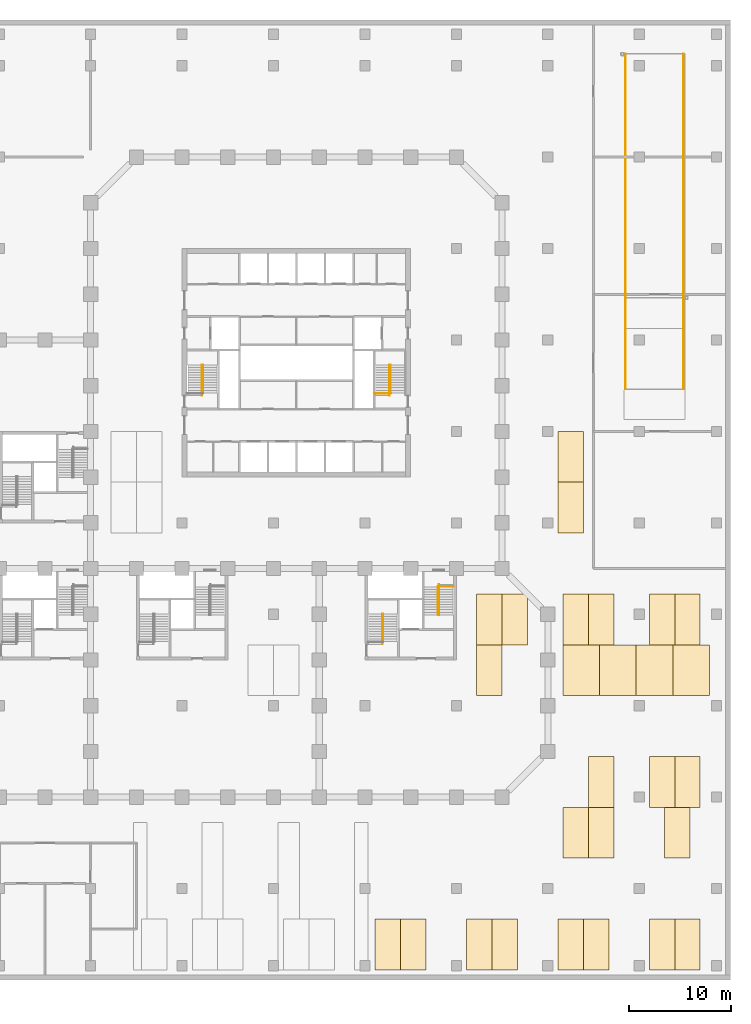
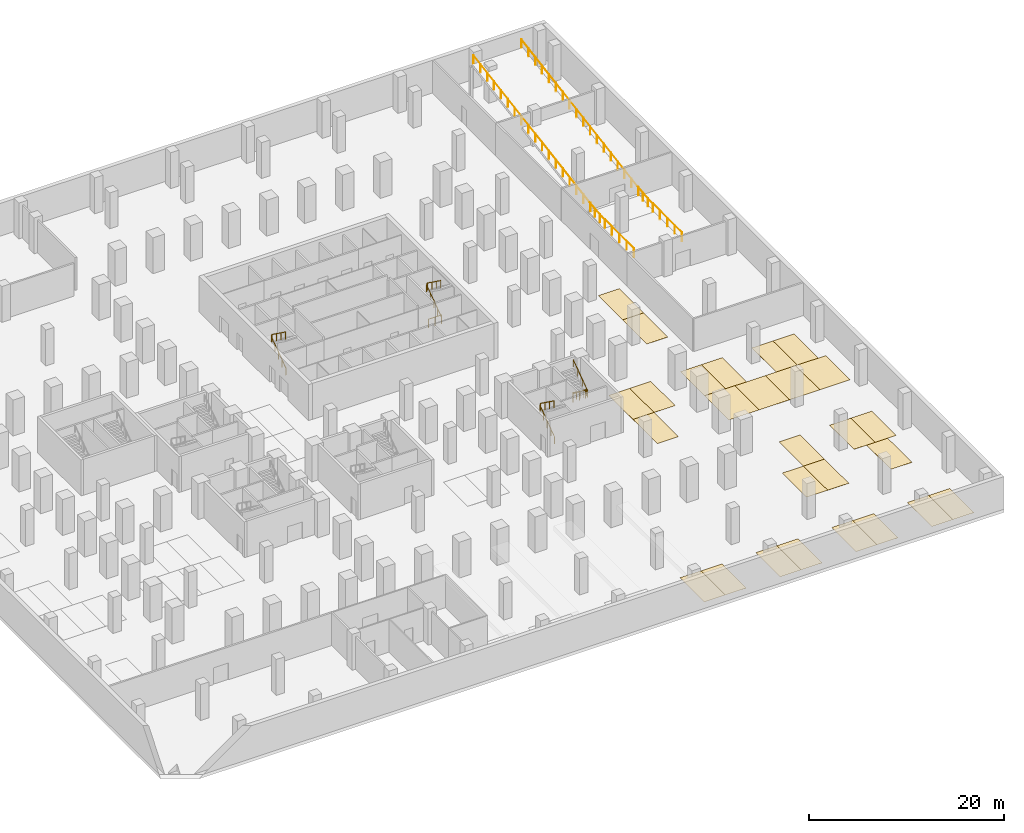
# One storey, part 16 of 16: 27 coverings, 12 railings.
"""IFC4 building model written with IfcOpenShell, lengths in metres."""

from ifc_helpers import new_model, si_unit, direction, frame, origin, origin_2d, place, context, subcontext, project, spatial, polyline, circle, outline, extrude, material, layer, layer_set, type_object, element, save


model = new_model("IFC4")

# Units and contexts
model_context = context("Model", 3, precision=1e-05, world=origin(), true_north=direction((0.0, 1.0)))
body_context = subcontext(model_context, "Body", "Model", "MODEL_VIEW")
ifc_project = project(units=[si_unit("LENGTHUNIT", "METRE"), si_unit("AREAUNIT", "SQUARE_METRE"), si_unit("VOLUMEUNIT", "CUBIC_METRE"), si_unit("PLANEANGLEUNIT", "RADIAN"), si_unit("MASSUNIT", "GRAM", prefix="KILO")], contexts=[model_context])

# Site, building, storey
site_placement = place(None, origin())
site = spatial("IfcSite", under=ifc_project, at=site_placement, CompositionType="ELEMENT")
building_placement = place(site_placement, origin())
building = spatial("IfcBuilding", under=site, at=building_placement, Name="Quoin Convention Tower", CompositionType="ELEMENT")
storey_placement = place(building_placement, frame((0.0, 0.0, -4.5)))
storey = spatial("IfcBuildingStorey", under=building, at=storey_placement, Name="B1", CompositionType="ELEMENT", Elevation=-4.5)

# Coverings
ifc_material_1 = material(Name="Road marking paint")
ifc_layer = layer(ifc_material_1, 0.0048828125)
ifc_layer_set = layer_set([ifc_layer], Name="Road marking paint")
covering_type = type_object("IfcCoveringType", Name="Parking bay marking", PredefinedType="FLOORING", material=ifc_layer_set)
covering_1_placement = place(storey_placement, origin())
element("IfcCovering", 1, at=covering_1_placement, inside=storey, type_object=covering_type, Name="PARKING BAY B1-06", PredefinedType="FLOORING", context=body_context, shape_type="SweptSolid", body=[
    extrude(outline(polyline([(64.0, 1.0), (66.5, 1.0), (66.5, 6.0), (64.0, 6.0), (64.0, 1.0)])), origin(), (0.0, 0.0, 1.0), 0.0048828125),
])
covering_2_placement = place(storey_placement, origin())
element("IfcCovering", 2, at=covering_2_placement, inside=storey, type_object=covering_type, Name="PARKING BAY B1-07", PredefinedType="FLOORING", context=body_context, shape_type="SweptSolid", body=[
    extrude(outline(polyline([(66.5, 1.0), (69.0, 1.0), (69.0, 6.0), (66.5, 6.0), (66.5, 1.0)])), origin(), (0.0, 0.0, 1.0), 0.0048828125),
])
covering_3_placement = place(storey_placement, origin())
element("IfcCovering", 3, at=covering_3_placement, inside=storey, type_object=covering_type, Name="PARKING BAY B1-08", PredefinedType="FLOORING", context=body_context, shape_type="SweptSolid", body=[
    extrude(outline(polyline([(73.0, 1.0), (75.5, 1.0), (75.5, 6.0), (73.0, 6.0), (73.0, 1.0)])), origin(), (0.0, 0.0, 1.0), 0.0048828125),
])
covering_4_placement = place(storey_placement, origin())
element("IfcCovering", 4, at=covering_4_placement, inside=storey, type_object=covering_type, Name="PARKING BAY B1-09", PredefinedType="FLOORING", context=body_context, shape_type="SweptSolid", body=[
    extrude(outline(polyline([(75.5, 1.0), (78.0, 1.0), (78.0, 6.0), (75.5, 6.0), (75.5, 1.0)])), origin(), (0.0, 0.0, 1.0), 0.0048828125),
])
covering_5_placement = place(storey_placement, origin())
element("IfcCovering", 5, at=covering_5_placement, inside=storey, type_object=covering_type, Name="PARKING BAY B1-10", PredefinedType="FLOORING", context=body_context, shape_type="SweptSolid", body=[
    extrude(outline(polyline([(82.0, 1.0), (84.5, 1.0), (84.5, 6.0), (82.0, 6.0), (82.0, 1.0)])), origin(), (0.0, 0.0, 1.0), 0.0048828125),
])
covering_6_placement = place(storey_placement, origin())
element("IfcCovering", 6, at=covering_6_placement, inside=storey, type_object=covering_type, Name="PARKING BAY B1-11", PredefinedType="FLOORING", context=body_context, shape_type="SweptSolid", body=[
    extrude(outline(polyline([(84.5, 1.0), (87.0, 1.0), (87.0, 6.0), (84.5, 6.0), (84.5, 1.0)])), origin(), (0.0, 0.0, 1.0), 0.0048828125),
])
covering_7_placement = place(storey_placement, origin())
element("IfcCovering", 7, at=covering_7_placement, inside=storey, type_object=covering_type, Name="PARKING BAY B1-12", PredefinedType="FLOORING", context=body_context, shape_type="SweptSolid", body=[
    extrude(outline(polyline([(91.0, 1.0), (93.5, 1.0), (93.5, 6.0), (91.0, 6.0), (91.0, 1.0)])), origin(), (0.0, 0.0, 1.0), 0.0048828125),
])
covering_8_placement = place(storey_placement, origin())
element("IfcCovering", 8, at=covering_8_placement, inside=storey, type_object=covering_type, Name="PARKING BAY B1-13", PredefinedType="FLOORING", context=body_context, shape_type="SweptSolid", body=[
    extrude(outline(polyline([(93.5, 1.0), (96.0, 1.0), (96.0, 6.0), (93.5, 6.0), (93.5, 1.0)])), origin(), (0.0, 0.0, 1.0), 0.0048828125),
])
covering_9_placement = place(storey_placement, origin())
element("IfcCovering", 9, at=covering_9_placement, inside=storey, type_object=covering_type, Name="PARKING BAY B1-14", PredefinedType="FLOORING", context=body_context, shape_type="SweptSolid", body=[
    extrude(outline(polyline([(82.5, 12.0), (85.0, 12.0), (85.0, 17.0), (82.5, 17.0), (82.5, 12.0)])), origin(), (0.0, 0.0, 1.0), 0.0048828125),
])
covering_10_placement = place(storey_placement, origin())
element("IfcCovering", 10, at=covering_10_placement, inside=storey, type_object=covering_type, Name="PARKING BAY B1-15", PredefinedType="FLOORING", context=body_context, shape_type="SweptSolid", body=[
    extrude(outline(polyline([(85.0, 12.0), (87.5, 12.0), (87.5, 17.0), (85.0, 17.0), (85.0, 12.0)])), origin(), (0.0, 0.0, 1.0), 0.0048828125),
])
covering_11_placement = place(storey_placement, origin())
element("IfcCovering", 11, at=covering_11_placement, inside=storey, type_object=covering_type, Name="PARKING BAY B1-16", PredefinedType="FLOORING", context=body_context, shape_type="SweptSolid", body=[
    extrude(outline(polyline([(92.5, 12.0), (95.0, 12.0), (95.0, 17.0), (92.5, 17.0), (92.5, 12.0)])), origin(), (0.0, 0.0, 1.0), 0.0048828125),
])
covering_12_placement = place(storey_placement, origin())
element("IfcCovering", 12, at=covering_12_placement, inside=storey, type_object=covering_type, Name="PARKING BAY B1-18", PredefinedType="FLOORING", context=body_context, shape_type="SweptSolid", body=[
    extrude(outline(polyline([(85.0, 17.0), (87.5, 17.0), (87.5, 22.0), (85.0, 22.0), (85.0, 17.0)])), origin(), (0.0, 0.0, 1.0), 0.0048828125),
])
covering_13_placement = place(storey_placement, origin())
element("IfcCovering", 13, at=covering_13_placement, inside=storey, type_object=covering_type, Name="PARKING BAY B1-19", PredefinedType="FLOORING", context=body_context, shape_type="SweptSolid", body=[
    extrude(outline(polyline([(91.0, 17.0), (93.5, 17.0), (93.5, 22.0), (91.0, 22.0), (91.0, 17.0)])), origin(), (0.0, 0.0, 1.0), 0.0048828125),
])
covering_14_placement = place(storey_placement, origin())
element("IfcCovering", 14, at=covering_14_placement, inside=storey, type_object=covering_type, Name="PARKING BAY B1-20", PredefinedType="FLOORING", context=body_context, shape_type="SweptSolid", body=[
    extrude(outline(polyline([(93.5, 17.0), (96.0, 17.0), (96.0, 22.0), (93.5, 22.0), (93.5, 17.0)])), origin(), (0.0, 0.0, 1.0), 0.0048828125),
])
covering_15_placement = place(storey_placement, origin())
element("IfcCovering", 15, at=covering_15_placement, inside=storey, type_object=covering_type, Name="PARKING BAY B1-31", PredefinedType="FLOORING", context=body_context, shape_type="SweptSolid", body=[
    extrude(outline(polyline([(74.0, 28.0), (76.5, 28.0), (76.5, 33.0), (74.0, 33.0), (74.0, 28.0)])), origin(), (0.0, 0.0, 1.0), 0.0048828125),
])
covering_16_placement = place(storey_placement, origin())
element("IfcCovering", 16, at=covering_16_placement, inside=storey, type_object=covering_type, Name="ACCESSIBLE PARKING BAY B1-32", PredefinedType="FLOORING", context=body_context, shape_type="SweptSolid", body=[
    extrude(outline(polyline([(82.5, 28.0), (86.10009765625, 28.0), (86.10009765625, 33.0), (82.5, 33.0), (82.5, 28.0)])), origin(), (0.0, 0.0, 1.0), 0.0048828125),
])
covering_17_placement = place(storey_placement, origin())
element("IfcCovering", 17, at=covering_17_placement, inside=storey, type_object=covering_type, Name="ACCESSIBLE PARKING BAY B1-33", PredefinedType="FLOORING", context=body_context, shape_type="SweptSolid", body=[
    extrude(outline(polyline([(86.10009765625, 28.0), (89.699951171875, 28.0), (89.699951171875, 33.0), (86.10009765625, 33.0), (86.10009765625, 28.0)])), origin(), (0.0, 0.0, 1.0), 0.0048828125),
])
covering_18_placement = place(storey_placement, origin())
element("IfcCovering", 18, at=covering_18_placement, inside=storey, type_object=covering_type, Name="ACCESSIBLE PARKING BAY B1-34", PredefinedType="FLOORING", context=body_context, shape_type="SweptSolid", body=[
    extrude(outline(polyline([(89.699951171875, 28.0), (93.300048828125, 28.0), (93.300048828125, 33.0), (89.699951171875, 33.0), (89.699951171875, 28.0)])), origin(), (0.0, 0.0, 1.0), 0.0048828125),
])
covering_19_placement = place(storey_placement, origin())
element("IfcCovering", 19, at=covering_19_placement, inside=storey, type_object=covering_type, Name="ACCESSIBLE PARKING BAY B1-35", PredefinedType="FLOORING", context=body_context, shape_type="SweptSolid", body=[
    extrude(outline(polyline([(93.300048828125, 28.0), (96.89990234375, 28.0), (96.89990234375, 33.0), (93.300048828125, 33.0), (93.300048828125, 28.0)])), origin(), (0.0, 0.0, 1.0), 0.0048828125),
])
covering_20_placement = place(storey_placement, origin())
element("IfcCovering", 20, at=covering_20_placement, inside=storey, type_object=covering_type, Name="PARKING BAY B1-40", PredefinedType="FLOORING", context=body_context, shape_type="SweptSolid", body=[
    extrude(outline(polyline([(74.0, 33.0), (76.5, 33.0), (76.5, 38.0), (74.0, 38.0), (74.0, 33.0)])), origin(), (0.0, 0.0, 1.0), 0.0048828125),
])
covering_21_placement = place(storey_placement, origin())
element("IfcCovering", 21, at=covering_21_placement, inside=storey, type_object=covering_type, Name="PARKING BAY B1-41", PredefinedType="FLOORING", context=body_context, shape_type="SweptSolid", body=[
    extrude(outline(polyline([(76.5, 33.0), (79.0, 33.0), (79.0, 38.0), (76.5, 38.0), (76.5, 33.0)])), origin(), (0.0, 0.0, 1.0), 0.0048828125),
])
covering_22_placement = place(storey_placement, origin())
element("IfcCovering", 22, at=covering_22_placement, inside=storey, type_object=covering_type, Name="PARKING BAY B1-42", PredefinedType="FLOORING", context=body_context, shape_type="SweptSolid", body=[
    extrude(outline(polyline([(82.5, 33.0), (85.0, 33.0), (85.0, 38.0), (82.5, 38.0), (82.5, 33.0)])), origin(), (0.0, 0.0, 1.0), 0.0048828125),
])
covering_23_placement = place(storey_placement, origin())
element("IfcCovering", 23, at=covering_23_placement, inside=storey, type_object=covering_type, Name="PARKING BAY B1-43", PredefinedType="FLOORING", context=body_context, shape_type="SweptSolid", body=[
    extrude(outline(polyline([(85.0, 33.0), (87.5, 33.0), (87.5, 38.0), (85.0, 38.0), (85.0, 33.0)])), origin(), (0.0, 0.0, 1.0), 0.0048828125),
])
covering_24_placement = place(storey_placement, origin())
element("IfcCovering", 24, at=covering_24_placement, inside=storey, type_object=covering_type, Name="PARKING BAY B1-44", PredefinedType="FLOORING", context=body_context, shape_type="SweptSolid", body=[
    extrude(outline(polyline([(91.0, 33.0), (93.5, 33.0), (93.5, 38.0), (91.0, 38.0), (91.0, 33.0)])), origin(), (0.0, 0.0, 1.0), 0.0048828125),
])
covering_25_placement = place(storey_placement, origin())
element("IfcCovering", 25, at=covering_25_placement, inside=storey, type_object=covering_type, Name="PARKING BAY B1-45", PredefinedType="FLOORING", context=body_context, shape_type="SweptSolid", body=[
    extrude(outline(polyline([(93.5, 33.0), (96.0, 33.0), (96.0, 38.0), (93.5, 38.0), (93.5, 33.0)])), origin(), (0.0, 0.0, 1.0), 0.0048828125),
])
covering_26_placement = place(storey_placement, origin())
element("IfcCovering", 26, at=covering_26_placement, inside=storey, type_object=covering_type, Name="PARKING BAY B1-50", PredefinedType="FLOORING", context=body_context, shape_type="SweptSolid", body=[
    extrude(outline(polyline([(82.0, 44.0), (84.5, 44.0), (84.5, 49.0), (82.0, 49.0), (82.0, 44.0)])), origin(), (0.0, 0.0, 1.0), 0.0048828125),
])
covering_27_placement = place(storey_placement, origin())
element("IfcCovering", 27, at=covering_27_placement, inside=storey, type_object=covering_type, Name="PARKING BAY B1-55", PredefinedType="FLOORING", context=body_context, shape_type="SweptSolid", body=[
    extrude(outline(polyline([(82.0, 49.0), (84.5, 49.0), (84.5, 54.0), (82.0, 54.0), (82.0, 49.0)])), origin(), (0.0, 0.0, 1.0), 0.0048828125),
])

# Railings
ifc_material_2 = material(Name="Stainless steel", Category="steel")
railing_type_1 = type_object("IfcRailingType", Name="Ramp guard 1100", PredefinedType="GUARDRAIL", material=ifc_material_2)
railing_1_placement = place(storey_placement, frame((88.64990234375, 91.14990234375, 4.25)))
element("IfcRailing", 28, at=railing_1_placement, inside=storey, type_object=railing_type_1, Name="grd-ramp-1mainW", PredefinedType="GUARDRAIL", context=body_context, shape_type="SweptSolid", body=[
    extrude(circle(Radius=0.02392578125, at=origin_2d()), frame((0.0, 0.0, 1.076171875), z_axis=(0.0, -0.986393923832, -0.164398987305), x_axis=(1.0, 0.0, 0.0)), (0.0, 0.0, 1.0), 24.3310546875),
    extrude(circle(Radius=0.02099609375, at=origin_2d()), origin(), (0.0, 0.0, 1.0), 1.052001953125),
    extrude(circle(Radius=0.02099609375, at=origin_2d()), frame((0.0, -1.411865234375, -0.2353515625)), (0.0, 0.0, 1.0), 1.052001953125),
    extrude(circle(Radius=0.02099609375, at=origin_2d()), frame((0.0, -2.823486328125, -0.470703125)), (0.0, 0.0, 1.0), 1.052001953125),
    extrude(circle(Radius=0.02099609375, at=origin_2d()), frame((0.0, -4.2353515625, -0.705810546875)), (0.0, 0.0, 1.0), 1.052001953125),
    extrude(circle(Radius=0.02099609375, at=origin_2d()), frame((0.0, -5.64697265625, -0.941162109375)), (0.0, 0.0, 1.0), 1.052001953125),
    extrude(circle(Radius=0.02099609375, at=origin_2d()), frame((0.0, -7.058837890625, -1.176513671875)), (0.0, 0.0, 1.0), 1.052001953125),
    extrude(circle(Radius=0.02099609375, at=origin_2d()), frame((0.0, -8.470703125, -1.411865234375)), (0.0, 0.0, 1.0), 1.052001953125),
    extrude(circle(Radius=0.02099609375, at=origin_2d()), frame((0.0, -9.88232421875, -1.64697265625)), (0.0, 0.0, 1.0), 1.052001953125),
    extrude(circle(Radius=0.02099609375, at=origin_2d()), frame((0.0, -11.294189453125, -1.88232421875)), (0.0, 0.0, 1.0), 1.052001953125),
    extrude(circle(Radius=0.02099609375, at=origin_2d()), frame((0.0, -12.705810546875, -2.11767578125)), (0.0, 0.0, 1.0), 1.052001953125),
    extrude(circle(Radius=0.02099609375, at=origin_2d()), frame((0.0, -14.11767578125, -2.35302734375)), (0.0, 0.0, 1.0), 1.052001953125),
    extrude(circle(Radius=0.02099609375, at=origin_2d()), frame((0.0, -15.529296875, -2.588134765625)), (0.0, 0.0, 1.0), 1.052001953125),
    extrude(circle(Radius=0.02099609375, at=origin_2d()), frame((0.0, -16.941162109375, -2.823486328125)), (0.0, 0.0, 1.0), 1.052001953125),
    extrude(circle(Radius=0.02099609375, at=origin_2d()), frame((0.0, -18.35302734375, -3.058837890625)), (0.0, 0.0, 1.0), 1.052001953125),
    extrude(circle(Radius=0.02099609375, at=origin_2d()), frame((0.0, -19.7646484375, -3.294189453125)), (0.0, 0.0, 1.0), 1.052001953125),
    extrude(circle(Radius=0.02099609375, at=origin_2d()), frame((0.0, -21.176513671875, -3.529296875)), (0.0, 0.0, 1.0), 1.052001953125),
    extrude(circle(Radius=0.02099609375, at=origin_2d()), frame((0.0, -22.588134765625, -3.7646484375)), (0.0, 0.0, 1.0), 1.052001953125),
    extrude(circle(Radius=0.02099609375, at=origin_2d()), frame((0.0, -24.0, -4.0)), (0.0, 0.0, 1.0), 1.052001953125),
])
railing_2_placement = place(storey_placement, frame((94.35009765625, 91.14990234375, 4.25)))
element("IfcRailing", 29, at=railing_2_placement, inside=storey, type_object=railing_type_1, Name="grd-ramp-1mainE", PredefinedType="GUARDRAIL", context=body_context, shape_type="SweptSolid", body=[
    extrude(circle(Radius=0.02392578125, at=origin_2d()), frame((0.0, 0.0, 1.076171875), z_axis=(0.0, -0.986393923832, -0.164398987305), x_axis=(1.0, 0.0, 0.0)), (0.0, 0.0, 1.0), 24.3310546875),
    extrude(circle(Radius=0.02099609375, at=origin_2d()), origin(), (0.0, 0.0, 1.0), 1.052001953125),
    extrude(circle(Radius=0.02099609375, at=origin_2d()), frame((0.0, -1.411865234375, -0.2353515625)), (0.0, 0.0, 1.0), 1.052001953125),
    extrude(circle(Radius=0.02099609375, at=origin_2d()), frame((0.0, -2.823486328125, -0.470703125)), (0.0, 0.0, 1.0), 1.052001953125),
    extrude(circle(Radius=0.02099609375, at=origin_2d()), frame((0.0, -4.2353515625, -0.705810546875)), (0.0, 0.0, 1.0), 1.052001953125),
    extrude(circle(Radius=0.02099609375, at=origin_2d()), frame((0.0, -5.64697265625, -0.941162109375)), (0.0, 0.0, 1.0), 1.052001953125),
    extrude(circle(Radius=0.02099609375, at=origin_2d()), frame((0.0, -7.058837890625, -1.176513671875)), (0.0, 0.0, 1.0), 1.052001953125),
    extrude(circle(Radius=0.02099609375, at=origin_2d()), frame((0.0, -8.470703125, -1.411865234375)), (0.0, 0.0, 1.0), 1.052001953125),
    extrude(circle(Radius=0.02099609375, at=origin_2d()), frame((0.0, -9.88232421875, -1.64697265625)), (0.0, 0.0, 1.0), 1.052001953125),
    extrude(circle(Radius=0.02099609375, at=origin_2d()), frame((0.0, -11.294189453125, -1.88232421875)), (0.0, 0.0, 1.0), 1.052001953125),
    extrude(circle(Radius=0.02099609375, at=origin_2d()), frame((0.0, -12.705810546875, -2.11767578125)), (0.0, 0.0, 1.0), 1.052001953125),
    extrude(circle(Radius=0.02099609375, at=origin_2d()), frame((0.0, -14.11767578125, -2.35302734375)), (0.0, 0.0, 1.0), 1.052001953125),
    extrude(circle(Radius=0.02099609375, at=origin_2d()), frame((0.0, -15.529296875, -2.588134765625)), (0.0, 0.0, 1.0), 1.052001953125),
    extrude(circle(Radius=0.02099609375, at=origin_2d()), frame((0.0, -16.941162109375, -2.823486328125)), (0.0, 0.0, 1.0), 1.052001953125),
    extrude(circle(Radius=0.02099609375, at=origin_2d()), frame((0.0, -18.35302734375, -3.058837890625)), (0.0, 0.0, 1.0), 1.052001953125),
    extrude(circle(Radius=0.02099609375, at=origin_2d()), frame((0.0, -19.7646484375, -3.294189453125)), (0.0, 0.0, 1.0), 1.052001953125),
    extrude(circle(Radius=0.02099609375, at=origin_2d()), frame((0.0, -21.176513671875, -3.529296875)), (0.0, 0.0, 1.0), 1.052001953125),
    extrude(circle(Radius=0.02099609375, at=origin_2d()), frame((0.0, -22.588134765625, -3.7646484375)), (0.0, 0.0, 1.0), 1.052001953125),
    extrude(circle(Radius=0.02099609375, at=origin_2d()), frame((0.0, -24.0, -4.0)), (0.0, 0.0, 1.0), 1.052001953125),
])
for number, where, name in (
    (30, (88.64990234375, 67.14990234375, 0.25), "grd-ramp-1footW"),
    (31, (94.35009765625, 67.14990234375, 0.25), "grd-ramp-1footE"),
):
    element("IfcRailing", number, at=place(storey_placement, frame(where)), inside=storey, type_object=railing_type_1, Name=name, PredefinedType="GUARDRAIL", context=body_context, shape_type="SweptSolid", body=[
        extrude(circle(Radius=0.02392578125, at=origin_2d()), frame((0.0, 0.0, 1.076171875), z_axis=(0.0, -0.996545758245, -0.083045479854), x_axis=(1.0, 0.0, 0.0)), (0.0, 0.0, 1.0), 3.010498046875),
        extrude(circle(Radius=0.02099609375, at=origin_2d()), origin(), (0.0, 0.0, 1.0), 1.052001953125),
        extrude(circle(Radius=0.02099609375, at=origin_2d()), frame((0.0, -1.0, -0.083251953125)), (0.0, 0.0, 1.0), 1.052001953125),
        extrude(circle(Radius=0.02099609375, at=origin_2d()), frame((0.0, -2.0, -0.166748046875)), (0.0, 0.0, 1.0), 1.052001953125),
        extrude(circle(Radius=0.02099609375, at=origin_2d()), frame((0.0, -3.0, -0.25)), (0.0, 0.0, 1.0), 1.052001953125),
    ])
for number, where, name in (
    (32, (88.64990234375, 64.14990234375, 0.0), "grd-ramp-1flatW"),
    (33, (94.35009765625, 64.14990234375, 0.0), "grd-ramp-1flatE"),
):
    element("IfcRailing", number, at=place(storey_placement, frame(where)), inside=storey, type_object=railing_type_1, Name=name, PredefinedType="GUARDRAIL", context=body_context, shape_type="SweptSolid", body=[
        extrude(circle(Radius=0.02392578125, at=origin_2d()), frame((0.0, 0.0, 1.076171875), z_axis=(0.0, -1.0, 0.0), x_axis=(1.0, 0.0, 0.0)), (0.0, 0.0, 1.0), 6.0),
        extrude(circle(Radius=0.02099609375, at=origin_2d()), origin(), (0.0, 0.0, 1.0), 1.052001953125),
        extrude(circle(Radius=0.02099609375, at=origin_2d()), frame((0.0, -1.5, 0.0)), (0.0, 0.0, 1.0), 1.052001953125),
        extrude(circle(Radius=0.02099609375, at=origin_2d()), frame((0.0, -3.0, 0.0)), (0.0, 0.0, 1.0), 1.052001953125),
        extrude(circle(Radius=0.02099609375, at=origin_2d()), frame((0.0, -4.5, 0.0)), (0.0, 0.0, 1.0), 1.052001953125),
        extrude(circle(Radius=0.02099609375, at=origin_2d()), frame((0.0, -6.0, 0.0)), (0.0, 0.0, 1.0), 1.052001953125),
    ])
railing_type_2 = type_object("IfcRailingType", Name="Stair handrail 900", PredefinedType="HANDRAIL", material=ifc_material_2)
railing_3_placement = place(storey_placement, frame((46.955078125, 57.550048828125, 0.179931640625)))
element("IfcRailing", 34, at=railing_3_placement, inside=storey, type_object=railing_type_2, Name="SD1 handrail 1", PredefinedType="HANDRAIL", context=body_context, shape_type="SweptSolid", body=[
    extrude(circle(Radius=0.02392578125, at=origin_2d()), frame((0.0, 0.0, 0.8759765625), z_axis=(0.0, 0.811514298965, 0.584332561625), x_axis=(-1.0, 0.0, 0.0)), (0.0, 0.0, 1.0), 3.69677734375),
    extrude(circle(Radius=0.02392578125, at=origin_2d()), frame((0.0, 3.0, 3.0361328125), z_axis=(0.446727955732, 0.0, 0.894669846126), x_axis=(0.0, 1.0, 0.0)), (0.0, 0.0, 1.0), 0.201171875),
    extrude(circle(Radius=0.02392578125, at=origin_2d()), frame((0.08984375, 3.0, 3.2158203125), z_axis=(0.0, -0.811537074521, 0.584300929897), x_axis=(1.0, 0.0, 0.0)), (0.0, 0.0, 1.0), 3.388671875),
    extrude(circle(Radius=0.02099609375, at=origin_2d()), origin(), (0.0, 0.0, 1.0), 0.851806640625),
    extrude(circle(Radius=0.02099609375, at=origin_2d()), frame((0.0, 0.75, 0.5400390625)), (0.0, 0.0, 1.0), 0.851806640625),
    extrude(circle(Radius=0.02099609375, at=origin_2d()), frame((0.0, 1.5, 1.080078125)), (0.0, 0.0, 1.0), 0.851806640625),
    extrude(circle(Radius=0.02099609375, at=origin_2d()), frame((0.0, 2.25, 1.6201171875)), (0.0, 0.0, 1.0), 0.851806640625),
    extrude(circle(Radius=0.02099609375, at=origin_2d()), frame((0.0, 3.0, 2.16015625)), (0.0, 0.0, 1.0), 0.851806640625),
    extrude(circle(Radius=0.02099609375, at=origin_2d()), frame((0.08984375, 3.0, 2.340087890625)), (0.0, 0.0, 1.0), 0.851806640625),
    extrude(circle(Radius=0.02099609375, at=origin_2d()), frame((0.08984375, 2.083251953125, 3.0)), (0.0, 0.0, 1.0), 0.851806640625),
    extrude(circle(Radius=0.02099609375, at=origin_2d()), frame((0.08984375, 1.166748046875, 3.66015625)), (0.0, 0.0, 1.0), 0.851806640625),
    extrude(circle(Radius=0.02099609375, at=origin_2d()), frame((0.08984375, 0.25, 4.320068359375)), (0.0, 0.0, 1.0), 0.851806640625),
])
railing_4_placement = place(storey_placement, frame((65.405029296875, 57.550048828125, 0.179931640625)))
element("IfcRailing", 35, at=railing_4_placement, inside=storey, type_object=railing_type_2, Name="SD2 handrail 1", PredefinedType="HANDRAIL", context=body_context, shape_type="SweptSolid", body=[
    extrude(circle(Radius=0.02392578125, at=origin_2d()), frame((0.0, 0.0, 0.8759765625), z_axis=(0.0, 0.811514298965, 0.584332561625), x_axis=(-1.0, 0.0, 0.0)), (0.0, 0.0, 1.0), 3.69677734375),
    extrude(circle(Radius=0.02392578125, at=origin_2d()), frame((0.0, 3.0, 3.0361328125), z_axis=(0.447698840064, 0.0, 0.894184404139), x_axis=(0.0, 1.0, 0.0)), (0.0, 0.0, 1.0), 0.201171875),
    extrude(circle(Radius=0.02392578125, at=origin_2d()), frame((0.090087890625, 3.0, 3.2158203125), z_axis=(0.0, -0.811537074521, 0.584300929897), x_axis=(1.0, 0.0, 0.0)), (0.0, 0.0, 1.0), 3.388671875),
    extrude(circle(Radius=0.02099609375, at=origin_2d()), origin(), (0.0, 0.0, 1.0), 0.851806640625),
    extrude(circle(Radius=0.02099609375, at=origin_2d()), frame((0.0, 0.75, 0.5400390625)), (0.0, 0.0, 1.0), 0.851806640625),
    extrude(circle(Radius=0.02099609375, at=origin_2d()), frame((0.0, 1.5, 1.080078125)), (0.0, 0.0, 1.0), 0.851806640625),
    extrude(circle(Radius=0.02099609375, at=origin_2d()), frame((0.0, 2.25, 1.6201171875)), (0.0, 0.0, 1.0), 0.851806640625),
    extrude(circle(Radius=0.02099609375, at=origin_2d()), frame((0.0, 3.0, 2.16015625)), (0.0, 0.0, 1.0), 0.851806640625),
    extrude(circle(Radius=0.02099609375, at=origin_2d()), frame((0.090087890625, 3.0, 2.340087890625)), (0.0, 0.0, 1.0), 0.851806640625),
    extrude(circle(Radius=0.02099609375, at=origin_2d()), frame((0.090087890625, 2.083251953125, 3.0)), (0.0, 0.0, 1.0), 0.851806640625),
    extrude(circle(Radius=0.02099609375, at=origin_2d()), frame((0.090087890625, 1.166748046875, 3.66015625)), (0.0, 0.0, 1.0), 0.851806640625),
    extrude(circle(Radius=0.02099609375, at=origin_2d()), frame((0.090087890625, 0.25, 4.320068359375)), (0.0, 0.0, 1.0), 0.851806640625),
])
railing_5_placement = place(storey_placement, frame((64.705078125, 33.050048828125, 0.179931640625)))
element("IfcRailing", 36, at=railing_5_placement, inside=storey, type_object=railing_type_2, Name="SD9 handrail 1", PredefinedType="HANDRAIL", context=body_context, shape_type="SweptSolid", body=[
    extrude(circle(Radius=0.02392578125, at=origin_2d()), frame((0.0, 0.0, 0.8759765625), z_axis=(0.0, 0.811514298965, 0.584332561625), x_axis=(-1.0, 0.0, 0.0)), (0.0, 0.0, 1.0), 3.69677734375),
    extrude(circle(Radius=0.02392578125, at=origin_2d()), frame((0.0, 3.0, 3.0361328125), z_axis=(0.446727955732, 0.0, 0.894669846126), x_axis=(0.0, 1.0, 0.0)), (0.0, 0.0, 1.0), 0.201171875),
    extrude(circle(Radius=0.02392578125, at=origin_2d()), frame((0.08984375, 3.0, 3.2158203125), z_axis=(0.0, -0.811537074521, 0.584300929897), x_axis=(1.0, 0.0, 0.0)), (0.0, 0.0, 1.0), 3.388671875),
    extrude(circle(Radius=0.02099609375, at=origin_2d()), origin(), (0.0, 0.0, 1.0), 0.851806640625),
    extrude(circle(Radius=0.02099609375, at=origin_2d()), frame((0.0, 0.75, 0.5400390625)), (0.0, 0.0, 1.0), 0.851806640625),
    extrude(circle(Radius=0.02099609375, at=origin_2d()), frame((0.0, 1.5, 1.080078125)), (0.0, 0.0, 1.0), 0.851806640625),
    extrude(circle(Radius=0.02099609375, at=origin_2d()), frame((0.0, 2.25, 1.6201171875)), (0.0, 0.0, 1.0), 0.851806640625),
    extrude(circle(Radius=0.02099609375, at=origin_2d()), frame((0.0, 3.0, 2.16015625)), (0.0, 0.0, 1.0), 0.851806640625),
    extrude(circle(Radius=0.02099609375, at=origin_2d()), frame((0.08984375, 3.0, 2.340087890625)), (0.0, 0.0, 1.0), 0.851806640625),
    extrude(circle(Radius=0.02099609375, at=origin_2d()), frame((0.08984375, 2.083251953125, 3.0)), (0.0, 0.0, 1.0), 0.851806640625),
    extrude(circle(Radius=0.02099609375, at=origin_2d()), frame((0.08984375, 1.166748046875, 3.66015625)), (0.0, 0.0, 1.0), 0.851806640625),
    extrude(circle(Radius=0.02099609375, at=origin_2d()), frame((0.08984375, 0.25, 4.320068359375)), (0.0, 0.0, 1.0), 0.851806640625),
])
railing_6_placement = place(storey_placement, frame((70.294921875, 38.949951171875, 0.179931640625)))
element("IfcRailing", 37, at=railing_6_placement, inside=storey, type_object=railing_type_2, Name="SD10 handrail 1", PredefinedType="HANDRAIL", context=body_context, shape_type="SweptSolid", body=[
    extrude(circle(Radius=0.02392578125, at=origin_2d()), frame((0.0, 0.0, 0.8759765625), z_axis=(0.0, -0.811514298965, 0.584332561625), x_axis=(1.0, 0.0, 0.0)), (0.0, 0.0, 1.0), 3.69677734375),
    extrude(circle(Radius=0.02392578125, at=origin_2d()), frame((0.0, -3.0, 3.0361328125), z_axis=(-0.446727955732, 0.0, 0.894669846126), x_axis=(0.0, -1.0, 0.0)), (0.0, 0.0, 1.0), 0.201171875),
    extrude(circle(Radius=0.02392578125, at=origin_2d()), frame((-0.08984375, -3.0, 3.2158203125), z_axis=(0.0, 0.811537074521, 0.584300929897), x_axis=(-1.0, 0.0, 0.0)), (0.0, 0.0, 1.0), 3.388671875),
    extrude(circle(Radius=0.02099609375, at=origin_2d()), origin(), (0.0, 0.0, 1.0), 0.851806640625),
    extrude(circle(Radius=0.02099609375, at=origin_2d()), frame((0.0, -0.75, 0.5400390625)), (0.0, 0.0, 1.0), 0.851806640625),
    extrude(circle(Radius=0.02099609375, at=origin_2d()), frame((0.0, -1.5, 1.080078125)), (0.0, 0.0, 1.0), 0.851806640625),
    extrude(circle(Radius=0.02099609375, at=origin_2d()), frame((0.0, -2.25, 1.6201171875)), (0.0, 0.0, 1.0), 0.851806640625),
    extrude(circle(Radius=0.02099609375, at=origin_2d()), frame((0.0, -3.0, 2.16015625)), (0.0, 0.0, 1.0), 0.851806640625),
    extrude(circle(Radius=0.02099609375, at=origin_2d()), frame((-0.08984375, -3.0, 2.340087890625)), (0.0, 0.0, 1.0), 0.851806640625),
    extrude(circle(Radius=0.02099609375, at=origin_2d()), frame((-0.08984375, -2.083251953125, 3.0)), (0.0, 0.0, 1.0), 0.851806640625),
    extrude(circle(Radius=0.02099609375, at=origin_2d()), frame((-0.08984375, -1.166748046875, 3.66015625)), (0.0, 0.0, 1.0), 0.851806640625),
    extrude(circle(Radius=0.02099609375, at=origin_2d()), frame((-0.08984375, -0.25, 4.320068359375)), (0.0, 0.0, 1.0), 0.851806640625),
])
railing_type_3 = type_object("IfcRailingType", Name="Stair top guard 1100", PredefinedType="GUARDRAIL", material=ifc_material_2)
railing_7_placement = place(storey_placement, frame((64.0, 57.75, 0.0)))
element("IfcRailing", 38, at=railing_7_placement, inside=storey, type_object=railing_type_3, Name="SD2 top guard", PredefinedType="GUARDRAIL", context=body_context, shape_type="SweptSolid", body=[
    extrude(circle(Radius=0.02392578125, at=origin_2d()), frame((0.0, 0.0, 1.076171875), z_axis=(1.0, 0.0, 0.0), x_axis=(0.0, 1.0, 0.0)), (0.0, 0.0, 1.0), 1.544921875),
    extrude(circle(Radius=0.02099609375, at=origin_2d()), origin(), (0.0, 0.0, 1.0), 1.052001953125),
    extrude(circle(Radius=0.02099609375, at=origin_2d()), frame((0.7724609375, 0.0, 0.0)), (0.0, 0.0, 1.0), 1.052001953125),
    extrude(circle(Radius=0.02099609375, at=origin_2d()), frame((1.544921875, 0.0, 0.0)), (0.0, 0.0, 1.0), 1.052001953125),
])
railing_8_placement = place(storey_placement, frame((71.699951171875, 38.75, 0.0)))
element("IfcRailing", 39, at=railing_8_placement, inside=storey, type_object=railing_type_3, Name="SD10 top guard", PredefinedType="GUARDRAIL", context=body_context, shape_type="SweptSolid", body=[
    extrude(circle(Radius=0.02392578125, at=origin_2d()), frame((0.0, 0.0, 1.076171875), z_axis=(-1.0, 0.0, 0.0), x_axis=(0.0, -1.0, 0.0)), (0.0, 0.0, 1.0), 1.494873046875),
    extrude(circle(Radius=0.02099609375, at=origin_2d()), origin(), (0.0, 0.0, 1.0), 1.052001953125),
    extrude(circle(Radius=0.02099609375, at=origin_2d()), frame((-0.74755859375, 0.0, 0.0)), (0.0, 0.0, 1.0), 1.052001953125),
    extrude(circle(Radius=0.02099609375, at=origin_2d()), frame((-1.494873046875, 0.0, 0.0)), (0.0, 0.0, 1.0), 1.052001953125),
])

save(model, "model.ifc")
